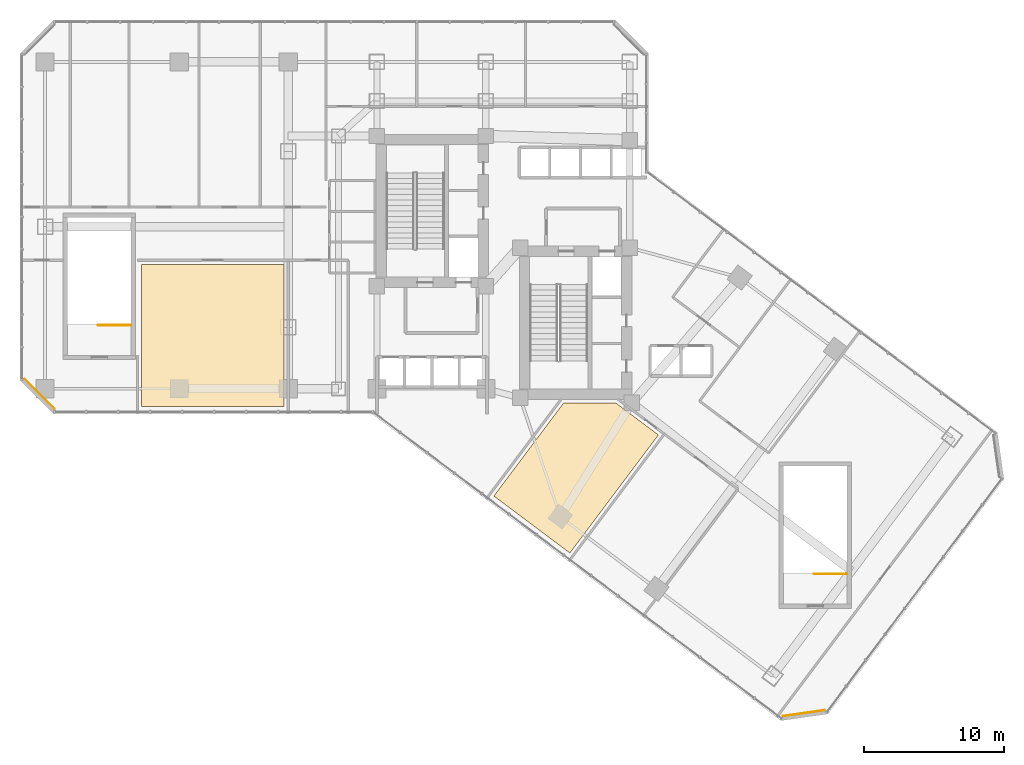
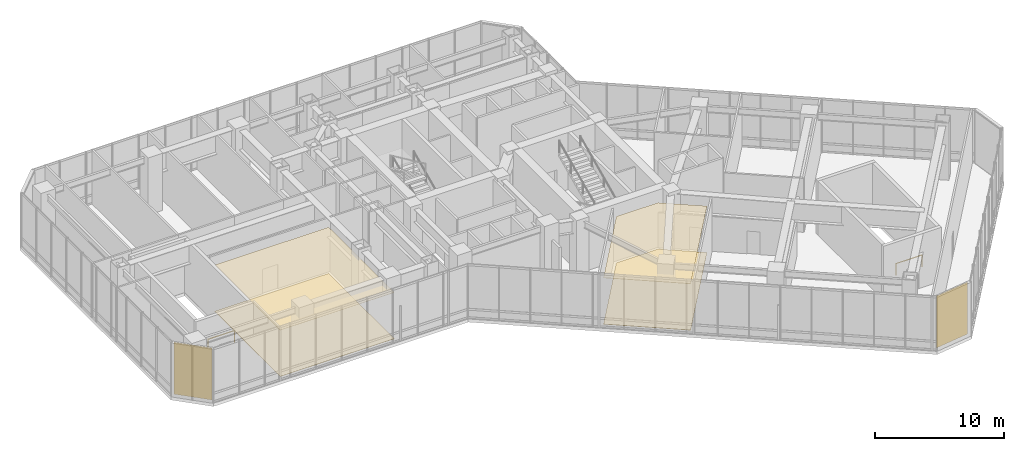
# One storey, part 36 of 38: 6 coverings, 2 railings.
"""IFC4 building model written with IfcOpenShell, lengths in metres."""

from ifc_helpers import new_model, si_unit, direction, frame, origin, origin_2d, place, context, subcontext, project, spatial, polyline, rectangle, circle, outline, extrude, material, layer, layer_set, type_object, element, save


model = new_model("IFC4")

# Units and contexts
model_context = context("Model", 3, precision=1e-05, world=origin(), true_north=direction((0.0, 1.0)))
body_context = subcontext(model_context, "Body", "Model", "MODEL_VIEW")
ifc_project = project(units=[si_unit("LENGTHUNIT", "METRE"), si_unit("AREAUNIT", "SQUARE_METRE"), si_unit("VOLUMEUNIT", "CUBIC_METRE"), si_unit("PLANEANGLEUNIT", "RADIAN"), si_unit("MASSUNIT", "GRAM", prefix="KILO")], contexts=[model_context])

# Site, building, storey
site_placement = place(None, origin())
site = spatial("IfcSite", under=ifc_project, at=site_placement, CompositionType="ELEMENT")
building_placement = place(site_placement, origin())
building = spatial("IfcBuilding", under=site, at=building_placement, Name="Hatsunagi Terrace Concourse", CompositionType="ELEMENT")
storey_placement = place(building_placement, frame((0.0, 0.0, 21.60009765625)))
storey = spatial("IfcBuildingStorey", under=building, at=storey_placement, Name="L05", CompositionType="ELEMENT", Elevation=21.60009765625)

# Coverings
ifc_material_1 = material(Name="Acoustic mineral board", Category="gypsum")
ifc_layer_1 = layer(ifc_material_1, 0.02001953125)
ifc_layer_set_1 = layer_set([ifc_layer_1], Name="AcousticMineralCeiling_20")
covering_type_1 = type_object("IfcCoveringType", Name="AcousticMineralCeiling_20", PredefinedType="CEILING", material=ifc_layer_set_1)
covering_1_placement = place(storey_placement, frame((0.0, 0.0, 4.3798828125)))
element("IfcCovering", 1, at=covering_1_placement, inside=storey, type_object=covering_type_1, Name="Suspended Ceiling L05-1", PredefinedType="CEILING", context=body_context, shape_type="SweptSolid", body=[
    extrude(outline(polyline([(8.699951171875, 23.929931640625), (18.89990234375, 23.929931640625), (18.89990234375, 34.10009765625), (8.699951171875, 34.10009765625), (8.699951171875, 23.929931640625)])), origin(), (0.0, 0.0, 1.0), 0.02001953125),
])
ifc_material_2 = material(Name="Granite stone paving", Category="masonry")
ifc_layer_2 = layer(ifc_material_2, 0.02490234375)
ifc_layer_set_2 = layer_set([ifc_layer_2], Name="GraniteStoneFlooring_25")
covering_type_2 = type_object("IfcCoveringType", Name="GraniteStoneFlooring_25", PredefinedType="FLOORING", material=ifc_layer_set_2)
covering_2_placement = place(storey_placement, origin())
element("IfcCovering", 2, at=covering_2_placement, inside=storey, type_object=covering_type_2, Name="Finished Flooring L05-1", PredefinedType="FLOORING", context=body_context, shape_type="SweptSolid", body=[
    extrude(outline(polyline([(8.699951171875, 23.929931640625), (18.89990234375, 23.929931640625), (18.89990234375, 34.10009765625), (8.699951171875, 34.10009765625), (8.699951171875, 23.929931640625)])), origin(), (0.0, 0.0, 1.0), 0.02490234375),
])
covering_3_placement = place(storey_placement, origin())
element("IfcCovering", 3, at=covering_3_placement, inside=storey, type_object=covering_type_2, Name="Finished Flooring L05-2", PredefinedType="FLOORING", context=body_context, shape_type="SweptSolid", body=[
    extrude(outline(polyline([(33.91796875, 17.52392578125), (39.35791015625, 13.444091796875), (45.699951171875, 21.89990234375), (42.64697265625, 24.18994140625), (38.91796875, 24.18994140625), (33.91796875, 17.52392578125)])), origin(), (0.0, 0.0, 1.0), 0.02490234375),
])

# Railings
ifc_material_3 = material(Name="Stainless steel", Category="steel")
ifc_layer_3 = layer(ifc_material_3, 0.06494140625)
ifc_layer_set_3 = layer_set([ifc_layer_3], Name="StairWellGuard_Podium2200")
railing_type = type_object("IfcRailingType", Name="StairWellGuard_Podium2200", PredefinedType="BALUSTRADE", material=ifc_layer_set_3)
for number, where, name in (
    (4, (7.949951171875, 29.75, 0.0), "L05 ST-P1 top well guard 1"),
    (5, (59.199951171875, 11.949951171875, 0.0), "L05 ST-P2 top well guard 1"),
):
    element("IfcRailing", number, at=place(storey_placement, frame(where)), inside=storey, type_object=railing_type, Name=name, PredefinedType="BALUSTRADE", context=body_context, shape_type="SweptSolid", body=[
        extrude(circle(Radius=0.02392578125, at=origin_2d()), frame((0.0, 0.0, 1.09619140625), z_axis=(-1.0, 0.0, 0.0), x_axis=(0.0, -1.0, 0.0)), (0.0, 0.0, 1.0), 2.349853515625),
        extrude(circle(Radius=0.02099609375, at=origin_2d()), origin(), (0.0, 0.0, 1.0), 1.072021484375),
        extrude(circle(Radius=0.02099609375, at=origin_2d()), frame((-2.349853515625, 0.0, 0.0)), (0.0, 0.0, 1.0), 1.072021484375),
    ])

# Coverings
ifc_material_4 = material(Name="Unglazed Warm Terracotta Rainscreen Tile", Category="masonry")
ifc_layer_4 = layer(ifc_material_4, 0.044921875)
ifc_layer_set_4 = layer_set([ifc_layer_4], Name="TerracottaRainscreenCladding_45")
covering_type_3 = type_object("IfcCoveringType", Name="TerracottaRainscreenCladding_45", PredefinedType="CLADDING", material=ifc_layer_set_4)
for number, where, z_axis, x_axis, name in (
    (6, (56.117919921875, 1.97900390625, 0.099853515625), (0.0, 0.0, 1.0), (-0.989973920543, -0.141250262458, 0.0), "Terracotta Rainscreen Cladding L05-04"),
    (7, (1.4140625, 24.81396484375, 0.099853515625), (0.0, 0.0, 1.0), (-0.707106781187, 0.707106781187, 0.0), "Terracotta Rainscreen Cladding L05-08"),
):
    element("IfcCovering", number, at=place(storey_placement, frame(where, z_axis=z_axis, x_axis=x_axis)), inside=storey, type_object=covering_type_3, Name=name, PredefinedType="CLADDING", context=body_context, shape_type="SweptSolid", body=[
        extrude(rectangle(XDim=3.0380859375, YDim=0.044921875, at=origin_2d()), origin(), (0.0, 0.0, 1.0), 4.89990234375),
    ])
ifc_material_5 = material(Name="Hardwood timber", Category="wood")
ifc_layer_5 = layer(ifc_material_5, 0.034912109375)
ifc_layer_set_5 = layer_set([ifc_layer_5], Name="TimberBaffleCeiling_35")
covering_type_4 = type_object("IfcCoveringType", Name="TimberBaffleCeiling_35", PredefinedType="CEILING", material=ifc_layer_set_5)
covering_4_placement = place(storey_placement, frame((0.0, 0.0, 4.3798828125)))
element("IfcCovering", 8, at=covering_4_placement, inside=storey, type_object=covering_type_4, Name="Suspended Ceiling L05-2", PredefinedType="CEILING", context=body_context, shape_type="SweptSolid", body=[
    extrude(outline(polyline([(33.91796875, 17.52392578125), (39.35791015625, 13.444091796875), (45.699951171875, 21.89990234375), (42.64697265625, 24.18994140625), (38.91796875, 24.18994140625), (33.91796875, 17.52392578125)])), origin(), (0.0, 0.0, 1.0), 0.034912109375),
])

save(model, "model.ifc")
